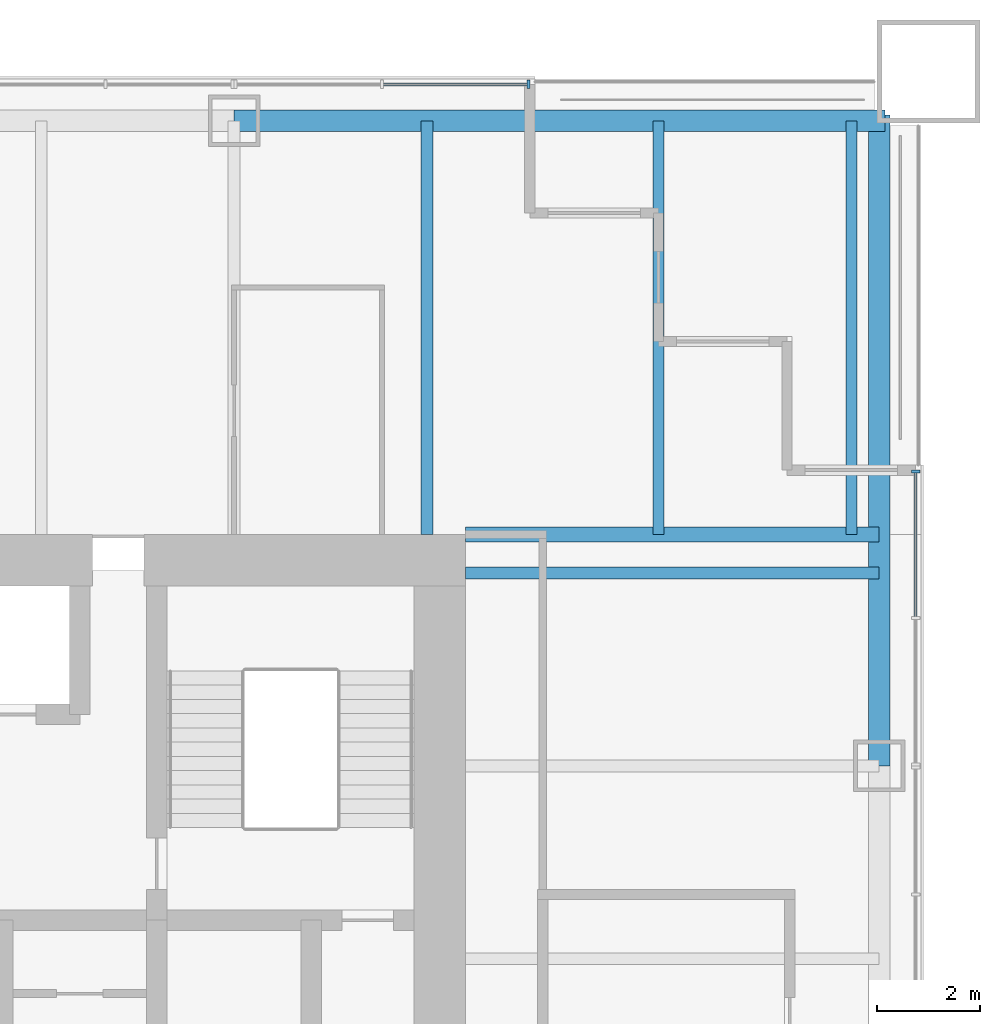
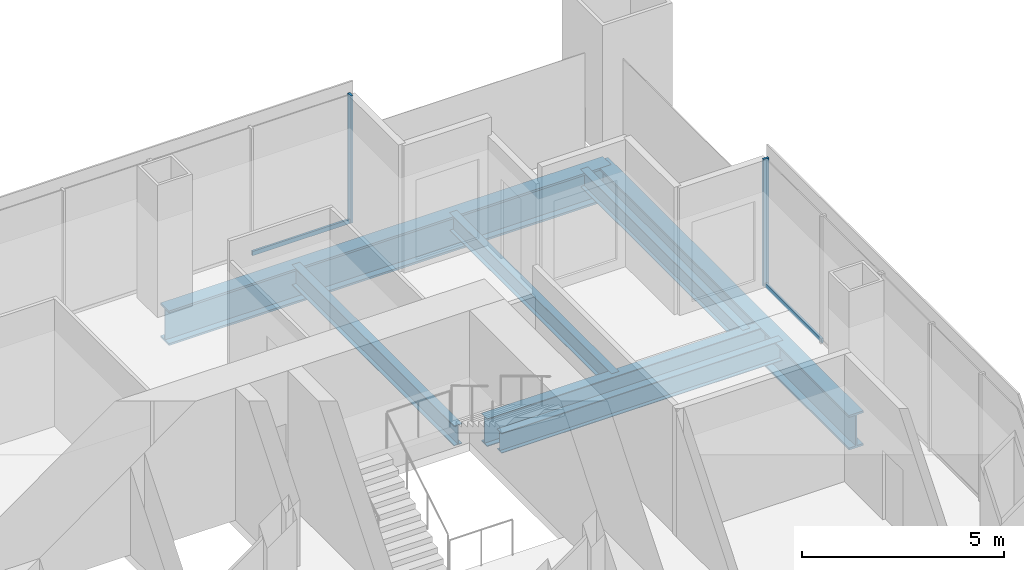
# One storey, part 7 of 14: 7 beams, 4 members, 2 elements without a shape of their own.
"""IFC4 building model written with IfcOpenShell, lengths in metres."""

from ifc_helpers import new_model, si_unit, direction, frame, origin, origin_2d, place, context, subcontext, project, spatial, rectangle, i_section, extrude, material, material_profile, profile_set, type_object, element, aggregate, save


model = new_model("IFC4")

# Units and contexts
model_context = context("Model", 3, precision=1e-05, world=origin(), true_north=direction((0.0, 1.0)))
body_context = subcontext(model_context, "Body", "Model", "MODEL_VIEW")
ifc_project = project(units=[si_unit("LENGTHUNIT", "METRE"), si_unit("AREAUNIT", "SQUARE_METRE"), si_unit("VOLUMEUNIT", "CUBIC_METRE"), si_unit("PLANEANGLEUNIT", "RADIAN"), si_unit("MASSUNIT", "GRAM", prefix="KILO")], contexts=[model_context])

# Site, building, storey
site_placement = place(None, origin())
site = spatial("IfcSite", under=ifc_project, at=site_placement, CompositionType="ELEMENT")
building_placement = place(site_placement, origin())
building = spatial("IfcBuilding", under=site, at=building_placement, Name="Tarangal Relay Tower", CompositionType="ELEMENT")
storey_placement = place(building_placement, frame((0.0, 0.0, 291.89990234375)))
storey = spatial("IfcBuildingStorey", under=building, at=storey_placement, Name="L64", CompositionType="ELEMENT", Elevation=291.89990234375)

# Beams
ifc_material_1 = material(Name="Steel ASTM A992", Category="steel")
ifc_material_profile_1 = material_profile(ifc_material_1, i_section(OverallWidth=0.209228515625, OverallDepth=0.533447265625, WebThickness=0.01025390625, FlangeThickness=0.015625, at=origin_2d()), Name="W21X62")
ifc_profile_set_1 = profile_set([ifc_material_profile_1], Name="Steel ASTM A992")
beam_type_1 = type_object("IfcBeamType", Name="Corner beam W21X62", PredefinedType="JOIST", material=ifc_profile_set_1)
for number, where, z_axis, x_axis, name in (
    (1, (15.75, 12.0, -0.41650390625), (0.0, 1.0, 0.0), (-1.0, 0.0, 0.0), "Corner beam CB12 N L64"),
    (2, (19.5, 12.0, -0.41650390625), (0.0, 1.0, 0.0), (-1.0, 0.0, 0.0), "Corner beam CB12 N L64"),
):
    element("IfcBeam", number, at=place(storey_placement, frame(where, z_axis=z_axis, x_axis=x_axis)), inside=storey, type_object=beam_type_1, Name=name, PredefinedType="JOIST", context=body_context, shape_type="SweptSolid", body=[
        extrude(i_section(OverallWidth=0.209228515625, OverallDepth=0.533447265625, WebThickness=0.01025390625, FlangeThickness=0.015625, at=origin_2d()), origin(), (0.0, 0.0, 1.0), 8.0400390625),
    ])
ifc_material_profile_2 = material_profile(ifc_material_1, i_section(OverallWidth=0.2919921875, OverallDepth=0.8408203125, WebThickness=0.0146484375, FlangeThickness=0.021728515625, at=origin_2d()), Name="W33X130")
ifc_profile_set_2 = profile_set([ifc_material_profile_2], Name="Steel ASTM A992")
beam_type_2 = type_object("IfcBeamType", Name="Corner girder W33X130", PredefinedType="BEAM", material=ifc_profile_set_2)
beam_placement = place(storey_placement, frame((12.0, 12.0, -0.5703125), z_axis=(1.0, 0.0, 0.0), x_axis=(0.0, 1.0, 0.0)))
element("IfcBeam", 3, at=beam_placement, inside=storey, type_object=beam_type_2, Name="Corner girder CG5 N L64", PredefinedType="BEAM", context=body_context, shape_type="SweptSolid", body=[
    extrude(i_section(OverallWidth=0.2919921875, OverallDepth=0.8408203125, WebThickness=0.0146484375, FlangeThickness=0.021728515625, at=origin_2d()), origin(), (0.0, 0.0, 1.0), 8.0400390625),
])
ifc_material_profile_3 = material_profile(ifc_material_1, i_section(OverallWidth=0.41162109375, OverallDepth=1.049072265625, WebThickness=0.033935546875, FlangeThickness=0.059814453125, at=origin_2d()), Name="W40X431")
ifc_profile_set_3 = profile_set([ifc_material_profile_3], Name="Steel ASTM A992")
beam_type_3 = type_object("IfcBeamType", Name="Edge girder W40X431", PredefinedType="SPANDREL", material=ifc_profile_set_3)
for number, where, z_axis, x_axis, name in (
    (4, (7.5, 20.0400390625, -0.67431640625), (1.0, 0.0, 0.0), (0.0, 1.0, 0.0), "Edge girder EG1 N L64"),
    (5, (20.0400390625, 20.14990234375, -0.67431640625), (0.0, -1.0, 0.0), (1.0, 0.0, 0.0), "Edge girder EG1 E L64"),
):
    element("IfcBeam", number, at=place(storey_placement, frame(where, z_axis=z_axis, x_axis=x_axis)), inside=storey, type_object=beam_type_3, Name=name, PredefinedType="SPANDREL", context=body_context, shape_type="SweptSolid", body=[
        extrude(i_section(OverallWidth=0.41162109375, OverallDepth=1.049072265625, WebThickness=0.033935546875, FlangeThickness=0.059814453125, at=origin_2d()), origin(), (0.0, 0.0, 1.0), 12.64990234375),
    ])
ifc_material_profile_4 = material_profile(ifc_material_1, i_section(OverallWidth=0.228271484375, OverallDepth=0.607177734375, WebThickness=0.01123046875, FlangeThickness=0.017333984375, at=origin_2d()), Name="W24X76")
ifc_profile_set_4 = profile_set([ifc_material_profile_4], Name="Steel ASTM A992")
beam_type_4 = type_object("IfcBeamType", Name="Floor beam W24X76", PredefinedType="BEAM", material=ifc_profile_set_4)
for number, where, z_axis, x_axis, name in (
    (6, (11.25, 12.0, -0.453369140625), (0.0, 1.0, 0.0), (-1.0, 0.0, 0.0), "Floor beam RB5 N L64"),
    (7, (12.0, 11.25, -0.453369140625), (1.0, 0.0, 0.0), (0.0, 1.0, 0.0), "Floor beam RB5 E L64"),
):
    element("IfcBeam", number, at=place(storey_placement, frame(where, z_axis=z_axis, x_axis=x_axis)), inside=storey, type_object=beam_type_4, Name=name, PredefinedType="BEAM", context=body_context, shape_type="SweptSolid", body=[
        extrude(i_section(OverallWidth=0.228271484375, OverallDepth=0.607177734375, WebThickness=0.01123046875, FlangeThickness=0.017333984375, at=origin_2d()), origin(), (0.0, 0.0, 1.0), 8.0400390625),
    ])

# Curtain wall, member
ifc_material_2 = material(Name="Unitised curtain wall, dark glass and black aluminium", Category="aluminium")
curtain_wall_type = type_object("IfcCurtainWallType", Name="Curtain wall CW-B", PredefinedType="USERDEFINED", material=ifc_material_2)
curtain_wall_1_placement = place(storey_placement, origin())
curtain_wall_1 = element("IfcCurtainWall", 8, at=curtain_wall_1_placement, inside=storey, type_object=curtain_wall_type, Name="Curtain wall CW-B N facade L64", ObjectType="UNITISED CURTAIN WALL", PredefinedType="USERDEFINED")
ifc_material_3 = material(Name="Black anodised aluminium mullion", Category="aluminium")
ifc_material_profile_5 = material_profile(ifc_material_3, rectangle(XDim=0.159912109375, YDim=0.06005859375, at=origin_2d()), Name="CW-BM 60X160")
ifc_profile_set_5 = profile_set([ifc_material_profile_5], Name="Black anodised aluminium mullion")
member_type_1 = type_object("IfcMemberType", Name="Mullion CW-B 60 x 160", PredefinedType="MULLION", material=ifc_profile_set_5)
member_1_placement = place(storey_placement, frame((13.219970703125, 20.75, 0.0), z_axis=(0.0, 0.0, 1.0), x_axis=(0.0, 1.0, 0.0)))
member_1 = element("IfcMember", 9, at=member_1_placement, type_object=member_type_1, Name="CW-B mullion 3", PredefinedType="MULLION", context=body_context, shape_type="SweptSolid", body=[
    extrude(rectangle(XDim=0.159912109375, YDim=0.06005859375, at=origin_2d()), origin(), (0.0, 0.0, 1.0), 3.85009765625),
])

curtain_wall_2_placement = place(storey_placement, origin())
curtain_wall_2 = element("IfcCurtainWall", 10, at=curtain_wall_2_placement, inside=storey, type_object=curtain_wall_type, Name="Curtain wall CW-B E facade L64", ObjectType="UNITISED CURTAIN WALL", PredefinedType="USERDEFINED")
member_2_placement = place(storey_placement, frame((20.75, 13.219970703125, 0.0), z_axis=(0.0, 0.0, 1.0), x_axis=(1.0, 0.0, 0.0)))
member_2 = element("IfcMember", 11, at=member_2_placement, type_object=member_type_1, Name="CW-B mullion 1", PredefinedType="MULLION", context=body_context, shape_type="SweptSolid", body=[
    extrude(rectangle(XDim=0.159912109375, YDim=0.06005859375, at=origin_2d()), origin(), (0.0, 0.0, 1.0), 3.85009765625),
])

# Member
ifc_material_4 = material(Name="Black anodised aluminium transom", Category="aluminium")
ifc_material_profile_6 = material_profile(ifc_material_4, rectangle(XDim=0.06005859375, YDim=0.1298828125, at=origin_2d()), Name="CW-BT 60X130")
ifc_profile_set_6 = profile_set([ifc_material_profile_6], Name="Black anodised aluminium transom")
member_type_2 = type_object("IfcMemberType", Name="Transom CW-B 60 x 130", PredefinedType="USERDEFINED", material=ifc_profile_set_6)
member_3_placement = place(storey_placement, frame((10.405029296875, 20.75, 0.030029296875), z_axis=(1.0, 0.0, 0.0), x_axis=(0.0, 1.0, 0.0)))
member_3 = element("IfcMember", 12, at=member_3_placement, type_object=member_type_2, Name="CW-B transom 2.1", ObjectType="TRANSOM", PredefinedType="USERDEFINED", context=body_context, shape_type="SweptSolid", body=[
    extrude(rectangle(XDim=0.06005859375, YDim=0.1298828125, at=origin_2d()), origin(), (0.0, 0.0, 1.0), 2.784912109375),
])

aggregate(curtain_wall_1, [member_1, member_3])

member_4_placement = place(storey_placement, frame((20.75, 13.18994140625, 0.030029296875), z_axis=(0.0, -1.0, 0.0), x_axis=(1.0, 0.0, 0.0)))
member_4 = element("IfcMember", 13, at=member_4_placement, type_object=member_type_2, Name="CW-B transom 1.1", ObjectType="TRANSOM", PredefinedType="USERDEFINED", context=body_context, shape_type="SweptSolid", body=[
    extrude(rectangle(XDim=0.06005859375, YDim=0.1298828125, at=origin_2d()), origin(), (0.0, 0.0, 1.0), 2.784912109375),
])

aggregate(curtain_wall_2, [member_2, member_4])

save(model, "model.ifc")
